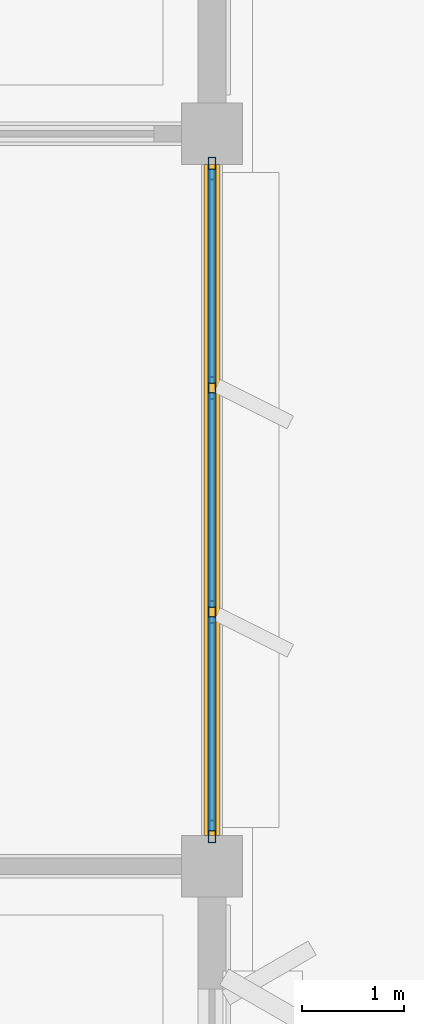
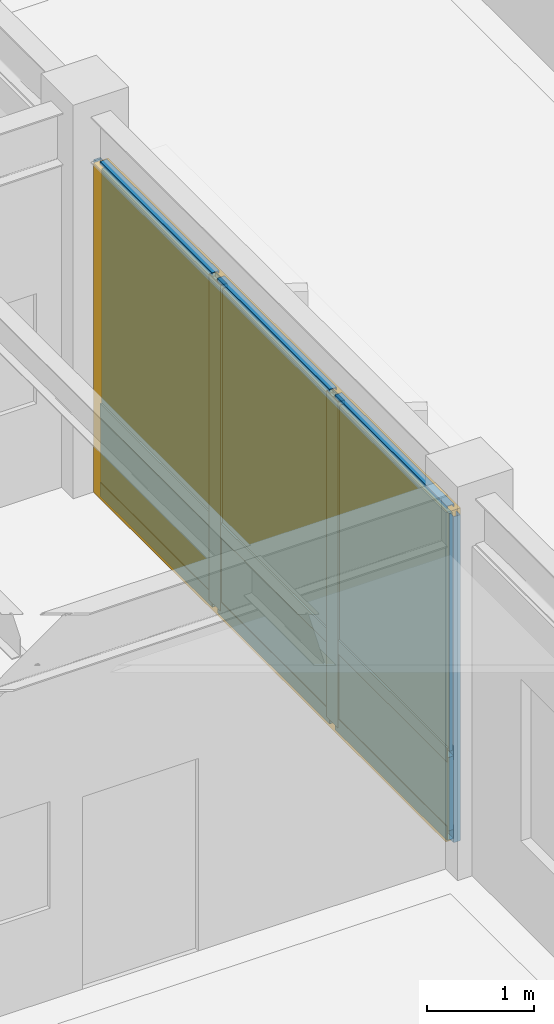
# One storey, part 69 of 92: 13 members, 6 plates, 1 curtain wall.
"""IFC4 building model written with IfcOpenShell, lengths in metres."""

from ifc_helpers import new_model, si_unit, direction, frame, origin, origin_2d, place, context, subcontext, project, spatial, rectangle, hollow_rectangle, extrude, material, layer, layer_set, material_profile, profile_set, type_object, element, aggregate, save


model = new_model("IFC4")

# Units and contexts
model_context = context("Model", 3, precision=1e-05, world=origin(), true_north=direction((0.0, 1.0)))
body_context = subcontext(model_context, "Body", "Model", "MODEL_VIEW")
ifc_project = project(units=[si_unit("LENGTHUNIT", "METRE"), si_unit("AREAUNIT", "SQUARE_METRE"), si_unit("VOLUMEUNIT", "CUBIC_METRE"), si_unit("PLANEANGLEUNIT", "RADIAN"), si_unit("MASSUNIT", "GRAM", prefix="KILO")], contexts=[model_context])

# Member
ifc_material_1 = material(Name="Anodized Aluminium 6063-T6", Category="aluminium")
ifc_material_profile_1 = material_profile(ifc_material_1, hollow_rectangle(XDim=0.074951171875, YDim=0.219970703125, WallThickness=0.0048828125, at=origin_2d()), Name="ALU 75x220x5")
ifc_profile_set_1 = profile_set([ifc_material_profile_1], Name="Anodized Aluminium 6063-T6")
member_type_1 = type_object("IfcMemberType", Name="CWM-75X180", PredefinedType="MULLION", material=ifc_profile_set_1)
site_placement = place(None, origin())
building_placement = place(site_placement, origin())
storey_placement = place(building_placement, frame((0.0, 0.0, 5.39990234375)))
member_1_placement = place(storey_placement, frame((108.0, 107.659912109375, 0.02001953125), z_axis=(0.0, 0.0, 1.0), x_axis=(1.0, 0.0, 0.0)))
member_1 = element("IfcMember", 1, at=member_1_placement, type_object=member_type_1, Name="Curtain wall mullion CW-L02-14-14-E-00", PredefinedType="MULLION", context=body_context, shape_type="SweptSolid", body=[
    extrude(hollow_rectangle(XDim=0.074951171875, YDim=0.219970703125, WallThickness=0.0048828125, at=origin_2d()), origin(), (0.0, 0.0, 1.0), 3.72705078125),
])

member_2_placement = place(storey_placement, frame((108.0, 105.5, 0.02001953125), z_axis=(0.0, 0.0, 1.0), x_axis=(1.0, 0.0, 0.0)))
member_2 = element("IfcMember", 2, at=member_2_placement, type_object=member_type_1, Name="Curtain wall mullion CW-L02-14-14-E-01", PredefinedType="MULLION", context=body_context, shape_type="SweptSolid", body=[
    extrude(hollow_rectangle(XDim=0.074951171875, YDim=0.219970703125, WallThickness=0.0048828125, at=origin_2d()), origin(), (0.0, 0.0, 1.0), 3.72705078125),
])

member_3_placement = place(storey_placement, frame((108.0, 103.300048828125, 0.02001953125), z_axis=(0.0, 0.0, 1.0), x_axis=(1.0, 0.0, 0.0)))
member_3 = element("IfcMember", 3, at=member_3_placement, type_object=member_type_1, Name="Curtain wall mullion CW-L02-14-14-E-02", PredefinedType="MULLION", context=body_context, shape_type="SweptSolid", body=[
    extrude(hollow_rectangle(XDim=0.074951171875, YDim=0.219970703125, WallThickness=0.0048828125, at=origin_2d()), origin(), (0.0, 0.0, 1.0), 3.72705078125),
])

member_4_placement = place(storey_placement, frame((108.0, 101.139892578125, 0.02001953125), z_axis=(0.0, 0.0, 1.0), x_axis=(1.0, 0.0, 0.0)))
member_4 = element("IfcMember", 4, at=member_4_placement, type_object=member_type_1, Name="Curtain wall mullion CW-L02-14-14-E-03", PredefinedType="MULLION", context=body_context, shape_type="SweptSolid", body=[
    extrude(hollow_rectangle(XDim=0.074951171875, YDim=0.219970703125, WallThickness=0.0048828125, at=origin_2d()), origin(), (0.0, 0.0, 1.0), 3.72705078125),
])

ifc_material_profile_2 = material_profile(ifc_material_1, hollow_rectangle(XDim=0.074951171875, YDim=0.159912109375, WallThickness=0.00390625, at=origin_2d()), Name="ALU 75x160x4")
ifc_profile_set_2 = profile_set([ifc_material_profile_2], Name="Anodized Aluminium 6063-T6")
member_type_2 = type_object("IfcMemberType", Name="CWT-75X150", PredefinedType="USERDEFINED", material=ifc_profile_set_2)
member_5_placement = place(storey_placement, frame((108.0, 107.64990234375, 0.050048828125), z_axis=(0.0, -1.0, 0.0), x_axis=(1.0, 0.0, 0.0)))
member_5 = element("IfcMember", 5, at=member_5_placement, type_object=member_type_2, Name="Curtain wall transom CW-L02-14-14-E-1.01", ObjectType="TRANSOM", PredefinedType="USERDEFINED", context=body_context, shape_type="SweptSolid", body=[
    extrude(hollow_rectangle(XDim=0.074951171875, YDim=0.159912109375, WallThickness=0.00390625, at=origin_2d()), origin(), (0.0, 0.0, 1.0), 2.099853515625),
])

member_6_placement = place(storey_placement, frame((108.0, 105.449951171875, 0.050048828125), z_axis=(0.0, -1.0, 0.0), x_axis=(1.0, 0.0, 0.0)))
member_6 = element("IfcMember", 6, at=member_6_placement, type_object=member_type_2, Name="Curtain wall transom CW-L02-14-14-E-1.02", ObjectType="TRANSOM", PredefinedType="USERDEFINED", context=body_context, shape_type="SweptSolid", body=[
    extrude(hollow_rectangle(XDim=0.074951171875, YDim=0.159912109375, WallThickness=0.00390625, at=origin_2d()), origin(), (0.0, 0.0, 1.0), 2.099853515625),
])

member_7_placement = place(storey_placement, frame((108.0, 103.25, 0.050048828125), z_axis=(0.0, -1.0, 0.0), x_axis=(1.0, 0.0, 0.0)))
member_7 = element("IfcMember", 7, at=member_7_placement, type_object=member_type_2, Name="Curtain wall transom CW-L02-14-14-E-1.03", ObjectType="TRANSOM", PredefinedType="USERDEFINED", context=body_context, shape_type="SweptSolid", body=[
    extrude(hollow_rectangle(XDim=0.074951171875, YDim=0.159912109375, WallThickness=0.00390625, at=origin_2d()), origin(), (0.0, 0.0, 1.0), 2.10009765625),
])

member_8_placement = place(storey_placement, frame((108.0, 107.64990234375, 0.9501953125), z_axis=(0.0, -1.0, 0.0), x_axis=(1.0, 0.0, 0.0)))
member_8 = element("IfcMember", 8, at=member_8_placement, type_object=member_type_2, Name="Curtain wall transom CW-L02-14-14-E-2.01", ObjectType="TRANSOM", PredefinedType="USERDEFINED", context=body_context, shape_type="SweptSolid", body=[
    extrude(hollow_rectangle(XDim=0.074951171875, YDim=0.159912109375, WallThickness=0.00390625, at=origin_2d()), origin(), (0.0, 0.0, 1.0), 2.099853515625),
])

member_9_placement = place(storey_placement, frame((108.0, 105.449951171875, 0.9501953125), z_axis=(0.0, -1.0, 0.0), x_axis=(1.0, 0.0, 0.0)))
member_9 = element("IfcMember", 9, at=member_9_placement, type_object=member_type_2, Name="Curtain wall transom CW-L02-14-14-E-2.02", ObjectType="TRANSOM", PredefinedType="USERDEFINED", context=body_context, shape_type="SweptSolid", body=[
    extrude(hollow_rectangle(XDim=0.074951171875, YDim=0.159912109375, WallThickness=0.00390625, at=origin_2d()), origin(), (0.0, 0.0, 1.0), 2.099853515625),
])

member_10_placement = place(storey_placement, frame((108.0, 103.25, 0.9501953125), z_axis=(0.0, -1.0, 0.0), x_axis=(1.0, 0.0, 0.0)))
member_10 = element("IfcMember", 10, at=member_10_placement, type_object=member_type_2, Name="Curtain wall transom CW-L02-14-14-E-2.03", ObjectType="TRANSOM", PredefinedType="USERDEFINED", context=body_context, shape_type="SweptSolid", body=[
    extrude(hollow_rectangle(XDim=0.074951171875, YDim=0.159912109375, WallThickness=0.00390625, at=origin_2d()), origin(), (0.0, 0.0, 1.0), 2.10009765625),
])

member_11_placement = place(storey_placement, frame((108.0, 107.64990234375, 3.717041015625), z_axis=(0.0, -1.0, 0.0), x_axis=(1.0, 0.0, 0.0)))
member_11 = element("IfcMember", 11, at=member_11_placement, type_object=member_type_2, Name="Curtain wall transom CW-L02-14-14-E-3.01", ObjectType="TRANSOM", PredefinedType="USERDEFINED", context=body_context, shape_type="SweptSolid", body=[
    extrude(hollow_rectangle(XDim=0.074951171875, YDim=0.159912109375, WallThickness=0.00390625, at=origin_2d()), origin(), (0.0, 0.0, 1.0), 2.099853515625),
])

member_12_placement = place(storey_placement, frame((108.0, 105.449951171875, 3.717041015625), z_axis=(0.0, -1.0, 0.0), x_axis=(1.0, 0.0, 0.0)))
member_12 = element("IfcMember", 12, at=member_12_placement, type_object=member_type_2, Name="Curtain wall transom CW-L02-14-14-E-3.02", ObjectType="TRANSOM", PredefinedType="USERDEFINED", context=body_context, shape_type="SweptSolid", body=[
    extrude(hollow_rectangle(XDim=0.074951171875, YDim=0.159912109375, WallThickness=0.00390625, at=origin_2d()), origin(), (0.0, 0.0, 1.0), 2.099853515625),
])

member_13_placement = place(storey_placement, frame((108.0, 103.25, 3.717041015625), z_axis=(0.0, -1.0, 0.0), x_axis=(1.0, 0.0, 0.0)))
member_13 = element("IfcMember", 13, at=member_13_placement, type_object=member_type_2, Name="Curtain wall transom CW-L02-14-14-E-3.03", ObjectType="TRANSOM", PredefinedType="USERDEFINED", context=body_context, shape_type="SweptSolid", body=[
    extrude(hollow_rectangle(XDim=0.074951171875, YDim=0.159912109375, WallThickness=0.00390625, at=origin_2d()), origin(), (0.0, 0.0, 1.0), 2.10009765625),
])

# Plate
ifc_material_2 = material(Name="Acoustic Laminated Low-E Glazing", Category="glass")
ifc_layer_1 = layer(ifc_material_2, 0.0439453125)
ifc_layer_set_1 = layer_set([ifc_layer_1], Name="Acoustic Laminated Low-E Glazing")
plate_type_1 = type_object("IfcPlateType", Name="CWP-IGU-44", PredefinedType="CURTAIN_PANEL", material=ifc_layer_set_1)
plate_1_placement = place(storey_placement, frame((108.0, 106.60009765625, 0.990234375), z_axis=(0.0, 0.0, 1.0), x_axis=(0.0, -1.0, 0.0)))
plate_1 = element("IfcPlate", 14, at=plate_1_placement, type_object=plate_type_1, Name="Curtain wall vision glazing CW-L02-14-14-E-01", PredefinedType="CURTAIN_PANEL", context=body_context, shape_type="SweptSolid", body=[
    extrude(rectangle(XDim=2.110107421875, YDim=0.0400390625, at=origin_2d()), origin(), (0.0, 0.0, 1.0), 2.717041015625),
])

plate_2_placement = place(storey_placement, frame((108.0, 104.39990234375, 0.990234375), z_axis=(0.0, 0.0, 1.0), x_axis=(0.0, -1.0, 0.0)))
plate_2 = element("IfcPlate", 15, at=plate_2_placement, type_object=plate_type_1, Name="Curtain wall vision glazing CW-L02-14-14-E-02", PredefinedType="CURTAIN_PANEL", context=body_context, shape_type="SweptSolid", body=[
    extrude(rectangle(XDim=2.110107421875, YDim=0.0400390625, at=origin_2d()), origin(), (0.0, 0.0, 1.0), 2.717041015625),
])

plate_3_placement = place(storey_placement, frame((108.0, 102.199951171875, 0.990234375), z_axis=(0.0, 0.0, 1.0), x_axis=(0.0, -1.0, 0.0)))
plate_3 = element("IfcPlate", 16, at=plate_3_placement, type_object=plate_type_1, Name="Curtain wall vision glazing CW-L02-14-14-E-03", PredefinedType="CURTAIN_PANEL", context=body_context, shape_type="SweptSolid", body=[
    extrude(rectangle(XDim=2.110107421875, YDim=0.0400390625, at=origin_2d()), origin(), (0.0, 0.0, 1.0), 2.717041015625),
])

ifc_material_3 = material(Name="Insulated Stone-Composite Spandrel", Category="masonry")
ifc_layer_2 = layer(ifc_material_3, 0.068115234375)
ifc_layer_set_2 = layer_set([ifc_layer_2], Name="Insulated Stone-Composite Spandrel")
plate_type_2 = type_object("IfcPlateType", Name="CWP-SPN-68", PredefinedType="CURTAIN_PANEL", material=ifc_layer_set_2)
plate_4_placement = place(storey_placement, frame((108.0, 106.60009765625, 0.080078125), z_axis=(0.0, 0.0, 1.0), x_axis=(0.0, -1.0, 0.0)))
plate_4 = element("IfcPlate", 17, at=plate_4_placement, type_object=plate_type_2, Name="Curtain wall spandrel panel CW-L02-14-14-E-01", PredefinedType="CURTAIN_PANEL", context=body_context, shape_type="SweptSolid", body=[
    extrude(rectangle(XDim=2.110107421875, YDim=0.06005859375, at=origin_2d()), origin(), (0.0, 0.0, 1.0), 0.840087890625),
])

plate_5_placement = place(storey_placement, frame((108.0, 104.39990234375, 0.080078125), z_axis=(0.0, 0.0, 1.0), x_axis=(0.0, -1.0, 0.0)))
plate_5 = element("IfcPlate", 18, at=plate_5_placement, type_object=plate_type_2, Name="Curtain wall spandrel panel CW-L02-14-14-E-02", PredefinedType="CURTAIN_PANEL", context=body_context, shape_type="SweptSolid", body=[
    extrude(rectangle(XDim=2.110107421875, YDim=0.06005859375, at=origin_2d()), origin(), (0.0, 0.0, 1.0), 0.840087890625),
])

plate_6_placement = place(storey_placement, frame((108.0, 102.199951171875, 0.080078125), z_axis=(0.0, 0.0, 1.0), x_axis=(0.0, -1.0, 0.0)))
plate_6 = element("IfcPlate", 19, at=plate_6_placement, type_object=plate_type_2, Name="Curtain wall spandrel panel CW-L02-14-14-E-03", PredefinedType="CURTAIN_PANEL", context=body_context, shape_type="SweptSolid", body=[
    extrude(rectangle(XDim=2.110107421875, YDim=0.06005859375, at=origin_2d()), origin(), (0.0, 0.0, 1.0), 0.840087890625),
])

# Site, building, storey
site = spatial("IfcSite", under=ifc_project, at=site_placement, CompositionType="ELEMENT")
building = spatial("IfcBuilding", under=site, at=building_placement, Name="Sillqori Civic Hall", CompositionType="ELEMENT")
storey = spatial("IfcBuildingStorey", under=building, at=storey_placement, Name="L02", CompositionType="ELEMENT", Elevation=5.39990234375)

# Curtain wall
ifc_material_4 = material(Name="Anodized Aluminium Curtain Wall System", Category="aluminium")
curtain_wall_type = type_object("IfcCurtainWallType", Name="CW-GL-430", PredefinedType="NOTDEFINED", material=ifc_material_4)
curtain_wall_placement = place(storey_placement, frame((108.0, 104.39990234375, 0.0), z_axis=(0.0, 0.0, 1.0), x_axis=(0.0, -1.0, 0.0)))
curtain_wall = element("IfcCurtainWall", 20, at=curtain_wall_placement, inside=storey, type_object=curtain_wall_type, Name="L02 unitised curtain wall CW-L02-14-14-E", PredefinedType="NOTDEFINED", context=body_context, shape_type="SweptSolid", body=[
    extrude(rectangle(XDim=6.60009765625, YDim=0.159912109375, at=origin_2d()), origin(), (0.0, 0.0, 1.0), 3.76708984375),
])

aggregate(curtain_wall, [member_1, member_2, member_3, member_4, member_5, member_6, member_7, member_8, member_9, member_10, member_11, member_12, member_13, plate_4, plate_1, plate_5, plate_2, plate_6, plate_3])

save(model, "model.ifc")
